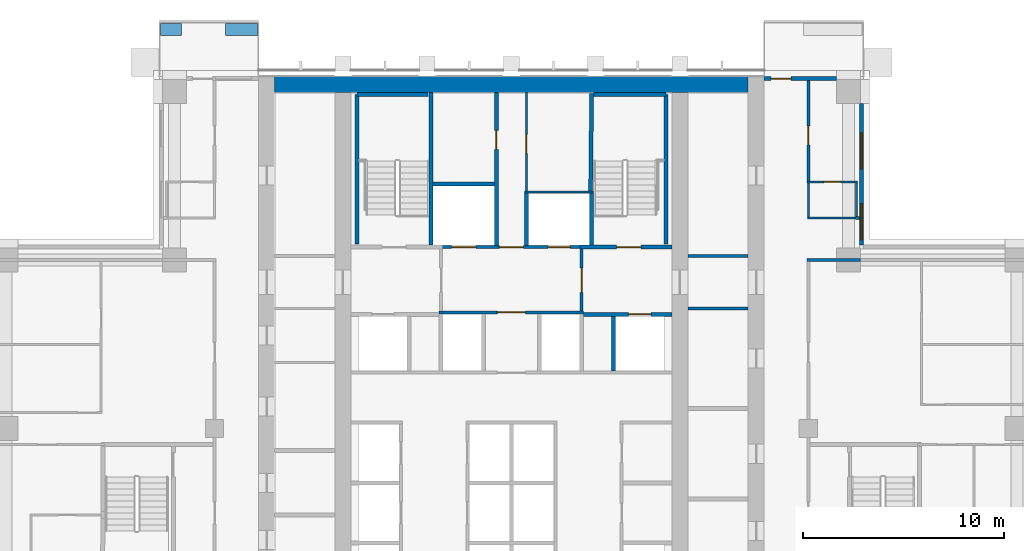
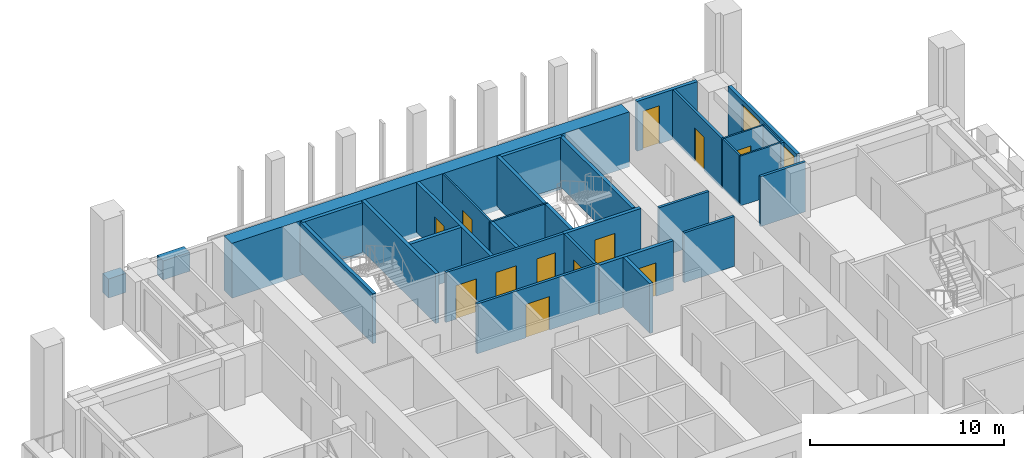
# One storey, part 11 of 17: 32 walls, 12 doors, 2 windows, 14 openings.
"""IFC4 building model written with IfcOpenShell, lengths in metres."""

from ifc_helpers import new_model, si_unit, direction, frame, frame_2d, origin, place, context, subcontext, project, spatial, rectangle, extrude, material, layer, layer_set, type_object, element, fill, save


model = new_model("IFC4")

# Units and contexts
model_context = context("Model", 3, precision=1e-05, world=origin(), true_north=direction((0.0, 1.0)))
body_context = subcontext(model_context, "Body", "Model", "MODEL_VIEW")
ifc_project = project(units=[si_unit("LENGTHUNIT", "METRE"), si_unit("AREAUNIT", "SQUARE_METRE"), si_unit("VOLUMEUNIT", "CUBIC_METRE"), si_unit("PLANEANGLEUNIT", "RADIAN"), si_unit("MASSUNIT", "GRAM", prefix="KILO")], contexts=[model_context])

# Site, building, storey
site_placement = place(None, origin())
site = spatial("IfcSite", under=ifc_project, at=site_placement, CompositionType="ELEMENT")
building_placement = place(site_placement, origin())
building = spatial("IfcBuilding", under=site, at=building_placement, Name="Vermilion Ogive Tower", CompositionType="ELEMENT")
storey_placement = place(building_placement, frame((0.0, 0.0, 111.449951171875)))
storey = spatial("IfcBuildingStorey", under=building, at=storey_placement, Name="L28", CompositionType="ELEMENT", Elevation=111.449951171875)

# Walls
ifc_material_1 = material(Name="Concrete B80", Category="concrete")
ifc_layer_1 = layer(ifc_material_1, 0.800048828125)
ifc_layer_set_1 = layer_set([ifc_layer_1], Name="Core wall 800 B80")
wall_type_1 = type_object("IfcWallType", Name="Core wall 800 B80", PredefinedType="SHEAR", material=ifc_layer_set_1)
wall_1_placement = place(storey_placement, frame((-11.800048828125, 21.35009765625, -0.320068359375), z_axis=(0.0, 0.0, 1.0), x_axis=(1.0, 0.0, 0.0)))
element("IfcWall", 1, at=wall_1_placement, inside=storey, type_object=wall_type_1, Name="L28-CORE-N", PredefinedType="SHEAR", context=body_context, shape_type="SweptSolid", body=[
    extrude(rectangle(XDim=23.60009765625, YDim=0.800048828125, at=frame_2d((11.800048828125, 0.0))), origin(), (0.0, 0.0, 1.0), 3.4501953125),
])
ifc_material_2 = material(Name="Gypsum board partition on steel studs", Category="steel")
ifc_layer_2 = layer(ifc_material_2, 0.10009765625)
ifc_layer_set_2 = layer_set([ifc_layer_2], Name="Partition 100 bath")
wall_type_2 = type_object("IfcWallType", Name="Partition 100 bath", PredefinedType="PARTITIONING", material=ifc_layer_set_2)
wall_2_placement = place(storey_placement, frame((14.75, 14.699951171875, 0.0), z_axis=(0.0, 0.0, 1.0), x_axis=(1.0, 0.0, 0.0)))
element("IfcWall", 2, at=wall_2_placement, inside=storey, type_object=wall_type_2, Name="L28-W-W039", PredefinedType="PARTITIONING", context=body_context, shape_type="SweptSolid", body=[
    extrude(rectangle(XDim=2.5, YDim=0.10009765625, at=frame_2d((1.25, 0.0))), origin(), (0.0, 0.0, 1.0), 3.130126953125),
])

# Wall, opening, door
wall_3_placement = place(storey_placement, frame((14.72509765625, 16.5, 0.0), z_axis=(0.0, 0.0, 1.0), x_axis=(1.0, 0.0, 0.0)))
wall_3 = element("IfcWall", 3, at=wall_3_placement, inside=storey, type_object=wall_type_2, Name="L28-W-W042", PredefinedType="PARTITIONING", context=body_context, shape_type="SweptSolid", body=[
    extrude(rectangle(XDim=2.52490234375, YDim=0.10009765625, at=frame_2d((1.262451171875, 0.0))), origin(), (0.0, 0.0, 1.0), 3.130126953125),
])
opening_1_placement = place(wall_3_placement, frame((0.849853515625, 0.0, 0.0)))
opening_1 = element("IfcOpeningElement", 4, at=opening_1_placement, cuts=wall_3, Name="Opening D2G5022", PredefinedType="OPENING", context=body_context, shape_type="SweptSolid", body=[
    extrude(rectangle(XDim=0.85009765625, YDim=2.10009765625, at=frame_2d((0.425048828125, 1.050048828125))), frame((0.0, 0.06005859375, 0.0), z_axis=(0.0, -1.0, 0.0), x_axis=(1.0, 0.0, 0.0)), (0.0, 0.0, 1.0), 0.1201171875),
])
ifc_material_3 = material(Name="Timber door leaf", Category="wood")
door_type_1 = type_object("IfcDoorType", Name="Bath door 850 x 2100 FD30", OperationType="SINGLE_SWING_LEFT", PredefinedType="DOOR", material=ifc_material_3)
door_1_placement = place(opening_1_placement, origin())
door_1 = element("IfcDoor", 5, at=door_1_placement, inside=storey, type_object=door_type_1, Name="L28-D-D022", OperationType="SINGLE_SWING_RIGHT", OverallHeight=2.10009765625, OverallWidth=0.85009765625, PredefinedType="DOOR", context=body_context, shape_type="SweptSolid", body=[
    extrude(rectangle(XDim=0.85009765625, YDim=2.10009765625, at=frame_2d((0.425048828125, 1.050048828125))), frame((0.0, 0.02490234375, 0.0), z_axis=(0.0, -1.0, 0.0), x_axis=(1.0, 0.0, 0.0)), (0.0, 0.0, 1.0), 0.050048828125),
])
fill(opening_1, door_1)

# Walls
wall_4_placement = place(storey_placement, frame((14.800048828125, 14.75, 0.0), z_axis=(0.0, 0.0, 1.0), x_axis=(0.0, 1.0, 0.0)))
element("IfcWall", 6, at=wall_4_placement, inside=storey, type_object=wall_type_2, Name="L28-W-W070", PredefinedType="PARTITIONING", context=body_context, shape_type="SweptSolid", body=[
    extrude(rectangle(XDim=1.699951171875, YDim=0.10009765625, at=frame_2d((0.85009765625, 0.0))), origin(), (0.0, 0.0, 1.0), 3.130126953125),
])
wall_5_placement = place(storey_placement, frame((17.199951171875, 14.77490234375, 0.0), z_axis=(0.0, 0.0, 1.0), x_axis=(0.0, 1.0, 0.0)))
element("IfcWall", 7, at=wall_5_placement, inside=storey, type_object=wall_type_2, Name="L28-W-W073", PredefinedType="PARTITIONING", context=body_context, shape_type="SweptSolid", body=[
    extrude(rectangle(XDim=1.675048828125, YDim=0.10009765625, at=frame_2d((0.83740234375, 0.0))), origin(), (0.0, 0.0, 1.0), 3.130126953125),
])
wall_6_placement = place(storey_placement, frame((0.64990234375, 16.0, 0.0), z_axis=(0.0, 0.0, 1.0), x_axis=(1.0, 0.0, 0.0)))
element("IfcWall", 8, at=wall_6_placement, inside=storey, type_object=wall_type_2, Name="L28-CK-W-W020", PredefinedType="PARTITIONING", context=body_context, shape_type="SweptSolid", body=[
    extrude(rectangle(XDim=3.4501953125, YDim=0.10009765625, at=frame_2d((1.72509765625, 0.0))), origin(), (0.0, 0.0, 1.0), 3.130126953125),
])

# Wall, opening, door
wall_7_placement = place(storey_placement, frame((0.75, 16.050048828125, 0.0), z_axis=(0.0, 0.0, 1.0), x_axis=(0.0, 1.0, 0.0)))
wall_7 = element("IfcWall", 9, at=wall_7_placement, inside=storey, type_object=wall_type_2, Name="L28-CK-W-W032", PredefinedType="PARTITIONING", context=body_context, shape_type="SweptSolid", body=[
    extrude(rectangle(XDim=4.89892578125, YDim=0.10009765625, at=frame_2d((2.449462890625, 0.0))), origin(), (0.0, 0.0, 1.0), 3.130126953125),
])
opening_2_placement = place(wall_7_placement, frame((1.875, 0.0, 0.0)))
opening_2 = element("IfcOpeningElement", 10, at=opening_2_placement, cuts=wall_7, Name="Opening DAA238", PredefinedType="OPENING", context=body_context, shape_type="SweptSolid", body=[
    extrude(rectangle(XDim=0.949951171875, YDim=2.10009765625, at=frame_2d((0.47509765625, 1.050048828125))), frame((0.0, 0.06005859375, 0.0), z_axis=(0.0, -1.0, 0.0), x_axis=(1.0, 0.0, 0.0)), (0.0, 0.0, 1.0), 0.1201171875),
])
ifc_material_4 = material(Name="Timber door leaf", Category="wood")
door_type_2 = type_object("IfcDoorType", Name="Service door 950 x 2100 FD60", OperationType="SINGLE_SWING_LEFT", PredefinedType="DOOR", material=ifc_material_4)
door_2_placement = place(opening_2_placement, origin())
door_2 = element("IfcDoor", 11, at=door_2_placement, inside=storey, type_object=door_type_2, Name="L28-CK-D-D021", OperationType="SINGLE_SWING_LEFT", OverallHeight=2.10009765625, OverallWidth=0.949951171875, PredefinedType="DOOR", context=body_context, shape_type="SweptSolid", body=[
    extrude(rectangle(XDim=0.949951171875, YDim=2.10009765625, at=frame_2d((0.47509765625, 1.050048828125))), frame((0.0, 0.02490234375, 0.0), z_axis=(0.0, -1.0, 0.0), x_axis=(1.0, 0.0, 0.0)), (0.0, 0.0, 1.0), 0.050048828125),
])
fill(opening_2, door_2)

# Walls
ifc_material_5 = material(Name="Gypsum board partition on steel studs", Category="steel")
ifc_layer_3 = layer(ifc_material_5, 0.14990234375)
ifc_layer_set_3 = layer_set([ifc_layer_3], Name="Partition 150 corridor")
wall_type_3 = type_object("IfcWallType", Name="Partition 150 corridor", PredefinedType="PARTITIONING", material=ifc_layer_set_3)
wall_8_placement = place(storey_placement, frame((14.72509765625, 12.60009765625, 0.0), z_axis=(0.0, 0.0, 1.0), x_axis=(1.0, 0.0, 0.0)))
element("IfcWall", 12, at=wall_8_placement, inside=storey, type_object=wall_type_3, Name="L28-W-W036", PredefinedType="PARTITIONING", context=body_context, shape_type="SweptSolid", body=[
    extrude(rectangle(XDim=2.6748046875, YDim=0.14990234375, at=frame_2d((1.33740234375, 0.0))), origin(), (0.0, 0.0, 1.0), 3.130126953125),
])
wall_9_placement = place(storey_placement, frame((17.14990234375, 14.699951171875, 0.0), z_axis=(0.0, 0.0, 1.0), x_axis=(1.0, 0.0, 0.0)))
element("IfcWall", 13, at=wall_9_placement, inside=storey, type_object=wall_type_3, Name="L28-W-W040", PredefinedType="PARTITIONING", context=body_context, shape_type="SweptSolid", body=[
    extrude(rectangle(XDim=0.2001953125, YDim=0.14990234375, at=frame_2d((0.10009765625, 0.0))), origin(), (0.0, 0.0, 1.0), 3.130126953125),
])

# Wall, opening, door
wall_10_placement = place(storey_placement, frame((14.800048828125, 16.550048828125, 0.0), z_axis=(0.0, 0.0, 1.0), x_axis=(0.0, 1.0, 0.0)))
wall_10 = element("IfcWall", 14, at=wall_10_placement, inside=storey, type_object=wall_type_3, Name="L28-W-W071", PredefinedType="PARTITIONING", context=body_context, shape_type="SweptSolid", body=[
    extrude(rectangle(XDim=5.0, YDim=0.14990234375, at=frame_2d((2.5, 0.0))), origin(), (0.0, 0.0, 1.0), 3.130126953125),
])
opening_3_placement = place(wall_10_placement, frame((1.800048828125, 0.0, 0.0)))
opening_3 = element("IfcOpeningElement", 15, at=opening_3_placement, cuts=wall_10, Name="Opening D2G5021", PredefinedType="OPENING", context=body_context, shape_type="SweptSolid", body=[
    extrude(rectangle(XDim=0.949951171875, YDim=2.10009765625, at=frame_2d((0.47509765625, 1.050048828125))), frame((0.0, 0.0849609375, 0.0), z_axis=(0.0, -1.0, 0.0), x_axis=(1.0, 0.0, 0.0)), (0.0, 0.0, 1.0), 0.169921875),
])
ifc_material_6 = material(Name="Timber door leaf", Category="wood")
door_type_3 = type_object("IfcDoorType", Name="Unit door 950 x 2100 FD30S", OperationType="SINGLE_SWING_LEFT", PredefinedType="DOOR", material=ifc_material_6)
door_3_placement = place(opening_3_placement, origin())
door_3 = element("IfcDoor", 16, at=door_3_placement, inside=storey, type_object=door_type_3, Name="L28-D-D021", OperationType="SINGLE_SWING_LEFT", OverallHeight=2.10009765625, OverallWidth=0.949951171875, PredefinedType="DOOR", context=body_context, shape_type="SweptSolid", body=[
    extrude(rectangle(XDim=0.949951171875, YDim=2.10009765625, at=frame_2d((0.47509765625, 1.050048828125))), frame((0.0, 0.02490234375, 0.0), z_axis=(0.0, -1.0, 0.0), x_axis=(1.0, 0.0, 0.0)), (0.0, 0.0, 1.0), 0.050048828125),
])
fill(opening_3, door_3)

wall_11_placement = place(storey_placement, frame((-3.60009765625, 10.0, 0.0), z_axis=(0.0, 0.0, 1.0), x_axis=(1.0, 0.0, 0.0)))
wall_11 = element("IfcWall", 17, at=wall_11_placement, inside=storey, type_object=wall_type_3, Name="L28-CK-W-W016", PredefinedType="PARTITIONING", context=body_context, shape_type="SweptSolid", body=[
    extrude(rectangle(XDim=7.2001953125, YDim=0.14990234375, at=frame_2d((3.60009765625, 0.0))), origin(), (0.0, 0.0, 1.0), 3.130126953125),
])
opening_4_placement = place(wall_11_placement, frame((2.900146484375, 0.0, 0.0)))
opening_4 = element("IfcOpeningElement", 18, at=opening_4_placement, cuts=wall_11, Name="Opening DAA233", PredefinedType="OPENING", context=body_context, shape_type="SweptSolid", body=[
    extrude(rectangle(XDim=1.39990234375, YDim=2.10009765625, at=frame_2d((0.699951171875, 1.050048828125))), frame((0.0, 0.0849609375, 0.0), z_axis=(0.0, -1.0, 0.0), x_axis=(1.0, 0.0, 0.0)), (0.0, 0.0, 1.0), 0.169921875),
])
ifc_material_7 = material(Name="Timber door leaf", Category="wood")
door_type_4 = type_object("IfcDoorType", Name="Lobby door 1400 x 2100 FD60S", OperationType="SINGLE_SWING_LEFT", PredefinedType="DOOR", material=ifc_material_7)
door_4_placement = place(opening_4_placement, origin())
door_4 = element("IfcDoor", 19, at=door_4_placement, inside=storey, type_object=door_type_4, Name="L28-CK-D-D016", OperationType="SINGLE_SWING_RIGHT", OverallHeight=2.10009765625, OverallWidth=1.39990234375, PredefinedType="DOOR", context=body_context, shape_type="SweptSolid", body=[
    extrude(rectangle(XDim=1.39990234375, YDim=2.10009765625, at=frame_2d((0.699951171875, 1.050048828125))), frame((0.0, 0.02490234375, 0.0), z_axis=(0.0, -1.0, 0.0), x_axis=(1.0, 0.0, 0.0)), (0.0, 0.0, 1.0), 0.050048828125),
])
fill(opening_4, door_4)

# Wall, openings, doors
wall_12_placement = place(storey_placement, frame((-3.574951171875, 13.25, 0.0), z_axis=(0.0, 0.0, 1.0), x_axis=(1.0, 0.0, 0.0)))
wall_12 = element("IfcWall", 20, at=wall_12_placement, inside=storey, type_object=wall_type_3, Name="L28-CK-W-W018", PredefinedType="PARTITIONING", context=body_context, shape_type="SweptSolid", body=[
    extrude(rectangle(XDim=7.14990234375, YDim=0.14990234375, at=frame_2d((3.574951171875, 0.0))), origin(), (0.0, 0.0, 1.0), 3.130126953125),
])
opening_5_placement = place(wall_12_placement, frame((0.599853515625, 0.0, 0.0)))
opening_5 = element("IfcOpeningElement", 21, at=opening_5_placement, cuts=wall_12, Name="Opening DAA252", PredefinedType="OPENING", context=body_context, shape_type="SweptSolid", body=[
    extrude(rectangle(XDim=1.199951171875, YDim=2.10009765625, at=frame_2d((0.60009765625, 1.050048828125))), frame((0.0, 0.0849609375, 0.0), z_axis=(0.0, -1.0, 0.0), x_axis=(1.0, 0.0, 0.0)), (0.0, 0.0, 1.0), 0.169921875),
])
opening_6_placement = place(wall_12_placement, frame((5.39990234375, 0.0, 0.0)))
opening_6 = element("IfcOpeningElement", 22, at=opening_6_placement, cuts=wall_12, Name="Opening DAA243", PredefinedType="OPENING", context=body_context, shape_type="SweptSolid", body=[
    extrude(rectangle(XDim=1.10009765625, YDim=2.10009765625, at=frame_2d((0.550048828125, 1.050048828125))), frame((0.0, 0.0849609375, 0.0), z_axis=(0.0, -1.0, 0.0), x_axis=(1.0, 0.0, 0.0)), (0.0, 0.0, 1.0), 0.169921875),
])
opening_7_placement = place(wall_12_placement, frame((2.974853515625, 0.0, 0.0)))
opening_7 = element("IfcOpeningElement", 23, at=opening_7_placement, cuts=wall_12, Name="Opening DAA234", PredefinedType="OPENING", context=body_context, shape_type="SweptSolid", body=[
    extrude(rectangle(XDim=1.199951171875, YDim=2.10009765625, at=frame_2d((0.60009765625, 1.050048828125))), frame((0.0, 0.0849609375, 0.0), z_axis=(0.0, -1.0, 0.0), x_axis=(1.0, 0.0, 0.0)), (0.0, 0.0, 1.0), 0.169921875),
])
ifc_material_8 = material(Name="Stainless steel", Category="steel")
door_type_5 = type_object("IfcDoorType", Name="Lift landing door 1100 x 2100", OperationType="SLIDING_TO_LEFT", PredefinedType="DOOR", material=ifc_material_8)
door_5_placement = place(opening_6_placement, origin())
door_5 = element("IfcDoor", 24, at=door_5_placement, inside=storey, type_object=door_type_5, Name="L28-CK-D-D018", OperationType="SLIDING_TO_LEFT", OverallHeight=2.10009765625, OverallWidth=1.10009765625, PredefinedType="DOOR", context=body_context, shape_type="SweptSolid", body=[
    extrude(rectangle(XDim=1.10009765625, YDim=2.10009765625, at=frame_2d((0.550048828125, 1.050048828125))), frame((0.0, 0.02490234375, 0.0), z_axis=(0.0, -1.0, 0.0), x_axis=(1.0, 0.0, 0.0)), (0.0, 0.0, 1.0), 0.050048828125),
])
fill(opening_6, door_5)
ifc_material_9 = material(Name="Stainless steel", Category="steel")
door_type_6 = type_object("IfcDoorType", Name="Lift landing door 1200 x 2100", OperationType="SLIDING_TO_LEFT", PredefinedType="DOOR", material=ifc_material_9)
door_6_placement = place(opening_5_placement, origin())
door_6 = element("IfcDoor", 25, at=door_6_placement, inside=storey, type_object=door_type_6, Name="L28-CK-D-D017", OperationType="SLIDING_TO_RIGHT", OverallHeight=2.10009765625, OverallWidth=1.199951171875, PredefinedType="DOOR", context=body_context, shape_type="SweptSolid", body=[
    extrude(rectangle(XDim=1.199951171875, YDim=2.10009765625, at=frame_2d((0.60009765625, 1.050048828125))), frame((0.0, 0.02490234375, 0.0), z_axis=(0.0, -1.0, 0.0), x_axis=(1.0, 0.0, 0.0)), (0.0, 0.0, 1.0), 0.050048828125),
])
fill(opening_5, door_6)
ifc_material_10 = material(Name="Timber door leaf", Category="wood")
door_type_7 = type_object("IfcDoorType", Name="Service door 1200 x 2100 FD60", OperationType="SINGLE_SWING_LEFT", PredefinedType="DOOR", material=ifc_material_10)
door_7_placement = place(opening_7_placement, origin())
door_7 = element("IfcDoor", 26, at=door_7_placement, inside=storey, type_object=door_type_7, Name="L28-CK-D-D019", OperationType="SINGLE_SWING_RIGHT", OverallHeight=2.10009765625, OverallWidth=1.199951171875, PredefinedType="DOOR", context=body_context, shape_type="SweptSolid", body=[
    extrude(rectangle(XDim=1.199951171875, YDim=2.10009765625, at=frame_2d((0.60009765625, 1.050048828125))), frame((0.0, 0.02490234375, 0.0), z_axis=(0.0, -1.0, 0.0), x_axis=(1.0, 0.0, 0.0)), (0.0, 0.0, 1.0), 0.050048828125),
])
fill(opening_7, door_7)

# Wall, opening, door
wall_13_placement = place(storey_placement, frame((3.5, 10.074951171875, 0.0), z_axis=(0.0, 0.0, 1.0), x_axis=(0.0, 1.0, 0.0)))
wall_13 = element("IfcWall", 27, at=wall_13_placement, inside=storey, type_object=wall_type_3, Name="L28-CK-W-W036", PredefinedType="PARTITIONING", context=body_context, shape_type="SweptSolid", body=[
    extrude(rectangle(XDim=3.074951171875, YDim=0.14990234375, at=frame_2d((1.53759765625, 0.0))), origin(), (0.0, 0.0, 1.0), 3.130126953125),
])
opening_8_placement = place(wall_13_placement, frame((0.925048828125, 0.0, 0.0)))
opening_8 = element("IfcOpeningElement", 28, at=opening_8_placement, cuts=wall_13, Name="Opening DAA231", PredefinedType="OPENING", context=body_context, shape_type="SweptSolid", body=[
    extrude(rectangle(XDim=1.199951171875, YDim=2.10009765625, at=frame_2d((0.60009765625, 1.050048828125))), frame((0.0, 0.0849609375, 0.0), z_axis=(0.0, -1.0, 0.0), x_axis=(1.0, 0.0, 0.0)), (0.0, 0.0, 1.0), 0.169921875),
])
ifc_material_11 = material(Name="Timber door leaf", Category="wood")
door_type_8 = type_object("IfcDoorType", Name="Lobby door 1200 x 2100 FD60S", OperationType="SINGLE_SWING_LEFT", PredefinedType="DOOR", material=ifc_material_11)
door_8_placement = place(opening_8_placement, origin())
door_8 = element("IfcDoor", 29, at=door_8_placement, inside=storey, type_object=door_type_8, Name="L28-CK-D-D023", OperationType="SINGLE_SWING_LEFT", OverallHeight=2.10009765625, OverallWidth=1.199951171875, PredefinedType="DOOR", context=body_context, shape_type="SweptSolid", body=[
    extrude(rectangle(XDim=1.199951171875, YDim=2.10009765625, at=frame_2d((0.60009765625, 1.050048828125))), frame((0.0, 0.02490234375, 0.0), z_axis=(0.0, -1.0, 0.0), x_axis=(1.0, 0.0, 0.0)), (0.0, 0.0, 1.0), 0.050048828125),
])
fill(opening_8, door_8)

# Walls
for number, where, z_axis, x_axis, name in (
    (30, (8.801025390625, 10.199951171875, 0.0), (0.0, 0.0, 1.0), (1.0, 0.0, 0.0), "L28-CKE-W-W004"),
    (31, (8.801025390625, 12.800048828125, 0.0), (0.0, 0.0, 1.0), (1.0, 0.0, 0.0), "L28-CKE-W-W005"),
):
    element("IfcWall", number, at=place(storey_placement, frame(where, z_axis=z_axis, x_axis=x_axis)), inside=storey, type_object=wall_type_3, Name=name, PredefinedType="PARTITIONING", context=body_context, shape_type="SweptSolid", body=[
        extrude(rectangle(XDim=2.998046875, YDim=0.14990234375, at=frame_2d((1.4990234375, 0.0))), origin(), (0.0, 0.0, 1.0), 3.130126953125),
    ])

# Wall, opening, door
ifc_material_12 = material(Name="Gypsum board partition on steel studs", Category="steel")
ifc_layer_4 = layer(ifc_material_12, 0.199951171875)
ifc_layer_set_4 = layer_set([ifc_layer_4], Name="Partition 200 party")
wall_type_4 = type_object("IfcWallType", Name="Partition 200 party", PredefinedType="PARTITIONING", material=ifc_layer_set_4)
wall_14_placement = place(storey_placement, frame((3.60009765625, 9.89990234375, 0.0), z_axis=(0.0, 0.0, 1.0), x_axis=(1.0, 0.0, 0.0)))
wall_14 = element("IfcWall", 32, at=wall_14_placement, inside=storey, type_object=wall_type_4, Name="L28-CK-W-W015", PredefinedType="PARTITIONING", context=body_context, shape_type="SweptSolid", body=[
    extrude(rectangle(XDim=4.39892578125, YDim=0.199951171875, at=frame_2d((2.199462890625, 0.0))), origin(), (0.0, 0.0, 1.0), 3.130126953125),
])
opening_9_placement = place(wall_14_placement, frame((2.25, 0.0, 0.0)))
opening_9 = element("IfcOpeningElement", 33, at=opening_9_placement, cuts=wall_14, Name="Opening DAA242", PredefinedType="OPENING", context=body_context, shape_type="SweptSolid", body=[
    extrude(rectangle(XDim=1.10009765625, YDim=2.10009765625, at=frame_2d((0.550048828125, 1.050048828125))), frame((0.0, 0.10986328125, 0.0), z_axis=(0.0, -1.0, 0.0), x_axis=(1.0, 0.0, 0.0)), (0.0, 0.0, 1.0), 0.219970703125),
])
door_9_placement = place(opening_9_placement, origin())
door_9 = element("IfcDoor", 34, at=door_9_placement, inside=storey, type_object=door_type_5, Name="L28-CK-D-D014", OperationType="SLIDING_TO_LEFT", OverallHeight=2.10009765625, OverallWidth=1.10009765625, PredefinedType="DOOR", context=body_context, shape_type="SweptSolid", body=[
    extrude(rectangle(XDim=1.10009765625, YDim=2.10009765625, at=frame_2d((0.550048828125, 1.050048828125))), frame((0.0, 0.02490234375, 0.0), z_axis=(0.0, -1.0, 0.0), x_axis=(1.0, 0.0, 0.0)), (0.0, 0.0, 1.0), 0.050048828125),
])
fill(opening_9, door_9)

# Wall
wall_15_placement = place(storey_placement, frame((-3.89990234375, 16.39990234375, 0.0), z_axis=(0.0, 0.0, 1.0), x_axis=(1.0, 0.0, 0.0)))
element("IfcWall", 35, at=wall_15_placement, inside=storey, type_object=wall_type_4, Name="L28-CK-W-W021", PredefinedType="PARTITIONING", context=body_context, shape_type="SweptSolid", body=[
    extrude(rectangle(XDim=3.0498046875, YDim=0.199951171875, at=frame_2d((1.52490234375, 0.0))), origin(), (0.0, 0.0, 1.0), 3.130126953125),
])

# Wall, opening, door
wall_16_placement = place(storey_placement, frame((-0.75, 13.324951171875, 0.0), z_axis=(0.0, 0.0, 1.0), x_axis=(0.0, 1.0, 0.0)))
wall_16 = element("IfcWall", 36, at=wall_16_placement, inside=storey, type_object=wall_type_4, Name="L28-CK-W-W029", PredefinedType="PARTITIONING", context=body_context, shape_type="SweptSolid", body=[
    extrude(rectangle(XDim=7.6240234375, YDim=0.199951171875, at=frame_2d((3.81201171875, 0.0))), origin(), (0.0, 0.0, 1.0), 3.130126953125),
])
opening_10_placement = place(wall_16_placement, frame((4.800048828125, 0.0, 0.0)))
opening_10 = element("IfcOpeningElement", 37, at=opening_10_placement, cuts=wall_16, Name="Opening DAA237", PredefinedType="OPENING", context=body_context, shape_type="SweptSolid", body=[
    extrude(rectangle(XDim=0.949951171875, YDim=2.10009765625, at=frame_2d((0.47509765625, 1.050048828125))), frame((0.0, 0.10986328125, 0.0), z_axis=(0.0, -1.0, 0.0), x_axis=(1.0, 0.0, 0.0)), (0.0, 0.0, 1.0), 0.219970703125),
])
door_10_placement = place(opening_10_placement, origin())
door_10 = element("IfcDoor", 38, at=door_10_placement, inside=storey, type_object=door_type_2, Name="L28-CK-D-D020", OperationType="SINGLE_SWING_RIGHT", OverallHeight=2.10009765625, OverallWidth=0.949951171875, PredefinedType="DOOR", context=body_context, shape_type="SweptSolid", body=[
    extrude(rectangle(XDim=0.949951171875, YDim=2.10009765625, at=frame_2d((0.47509765625, 1.050048828125))), frame((0.0, 0.02490234375, 0.0), z_axis=(0.0, -1.0, 0.0), x_axis=(1.0, 0.0, 0.0)), (0.0, 0.0, 1.0), 0.050048828125),
])
fill(opening_10, door_10)

# Walls
wall_17_placement = place(storey_placement, frame((0.75, 13.324951171875, 0.0), z_axis=(0.0, 0.0, 1.0), x_axis=(0.0, 1.0, 0.0)))
element("IfcWall", 39, at=wall_17_placement, inside=storey, type_object=wall_type_4, Name="L28-CK-W-W031", PredefinedType="PARTITIONING", context=body_context, shape_type="SweptSolid", body=[
    extrude(rectangle(XDim=2.625, YDim=0.199951171875, at=frame_2d((1.3125, 0.0))), origin(), (0.0, 0.0, 1.0), 3.130126953125),
])
wall_18_placement = place(storey_placement, frame((5.10009765625, 7.074951171875, 0.0), z_axis=(0.0, 0.0, 1.0), x_axis=(0.0, 1.0, 0.0)))
element("IfcWall", 40, at=wall_18_placement, inside=storey, type_object=wall_type_4, Name="L28-CK-W-W039", PredefinedType="PARTITIONING", context=body_context, shape_type="SweptSolid", body=[
    extrude(rectangle(XDim=2.72509765625, YDim=0.199951171875, at=frame_2d((1.362548828125, 0.0))), origin(), (0.0, 0.0, 1.0), 3.130126953125),
])

# Wall, opening, door
ifc_material_13 = material(Name="Concrete B60", Category="concrete")
ifc_layer_5 = layer(ifc_material_13, 0.199951171875)
ifc_layer_set_5 = layer_set([ifc_layer_5], Name="Stair shaft wall 200 Concrete B60")
wall_type_5 = type_object("IfcWallType", Name="Stair shaft wall 200 Concrete B60", PredefinedType="SOLIDWALL", material=ifc_layer_set_5)
wall_19_placement = place(storey_placement, frame((3.425048828125, 13.25, 0.0), z_axis=(0.0, 0.0, 1.0), x_axis=(1.0, 0.0, 0.0)))
wall_19 = element("IfcWall", 41, at=wall_19_placement, inside=storey, type_object=wall_type_5, Name="L28-CK-W-W019", PredefinedType="SOLIDWALL", context=body_context, shape_type="SweptSolid", body=[
    extrude(rectangle(XDim=4.573974609375, YDim=0.199951171875, at=frame_2d((2.287109375, 0.0))), origin(), (0.0, 0.0, 1.0), 3.130126953125),
])
opening_11_placement = place(wall_19_placement, frame((1.824951171875, 0.0, 0.0)))
opening_11 = element("IfcOpeningElement", 42, at=opening_11_placement, cuts=wall_19, Name="Opening DAA240", PredefinedType="OPENING", context=body_context, shape_type="SweptSolid", body=[
    extrude(rectangle(XDim=1.199951171875, YDim=2.10009765625, at=frame_2d((0.60009765625, 1.050048828125))), frame((0.0, 0.10986328125, 0.0), z_axis=(0.0, -1.0, 0.0), x_axis=(1.0, 0.0, 0.0)), (0.0, 0.0, 1.0), 0.219970703125),
])
ifc_material_14 = material(Name="Timber door leaf", Category="wood")
door_type_9 = type_object("IfcDoorType", Name="Stair door 1200 x 2100 FD60S", OperationType="SINGLE_SWING_LEFT", PredefinedType="DOOR", material=ifc_material_14)
door_11_placement = place(opening_11_placement, origin())
door_11 = element("IfcDoor", 43, at=door_11_placement, inside=storey, type_object=door_type_9, Name="L28-CK-D-D013", OperationType="SINGLE_SWING_RIGHT", OverallHeight=2.10009765625, OverallWidth=1.199951171875, PredefinedType="DOOR", context=body_context, shape_type="SweptSolid", body=[
    extrude(rectangle(XDim=1.199951171875, YDim=2.10009765625, at=frame_2d((0.60009765625, 1.050048828125))), frame((0.0, 0.02490234375, 0.0), z_axis=(0.0, -1.0, 0.0), x_axis=(1.0, 0.0, 0.0)), (0.0, 0.0, 1.0), 0.050048828125),
])
fill(opening_11, door_11)

# Walls
wall_20_placement = place(storey_placement, frame((-4.0, 13.35009765625, 0.0), z_axis=(0.0, 0.0, 1.0), x_axis=(0.0, 1.0, 0.0)))
element("IfcWall", 44, at=wall_20_placement, inside=storey, type_object=wall_type_5, Name="L28-CK-W-W024", PredefinedType="SOLIDWALL", context=body_context, shape_type="SweptSolid", body=[
    extrude(rectangle(XDim=7.598876953125, YDim=0.199951171875, at=frame_2d((3.79931640625, 0.0))), origin(), (0.0, 0.0, 1.0), 3.130126953125),
])
wall_21_placement = place(storey_placement, frame((4.0, 13.35009765625, 0.0), z_axis=(0.0, 0.0, 1.0), x_axis=(0.0, 1.0, 0.0)))
element("IfcWall", 45, at=wall_21_placement, inside=storey, type_object=wall_type_5, Name="L28-CK-W-W037", PredefinedType="SOLIDWALL", context=body_context, shape_type="SweptSolid", body=[
    extrude(rectangle(XDim=2.599853515625, YDim=0.199951171875, at=frame_2d((1.2998046875, 0.0))), origin(), (0.0, 0.0, 1.0), 3.130126953125),
])
wall_22_placement = place(storey_placement, frame((3.949951171875, 16.050048828125, 0.0), z_axis=(0.0, 0.0, 1.0), x_axis=(0.01032118628, 0.999946735138, 0.0)))
element("IfcWall", 46, at=wall_22_placement, inside=storey, type_object=wall_type_5, Name="L28-CK-W-W038", PredefinedType="SOLIDWALL", context=body_context, shape_type="SweptSolid", body=[
    extrude(rectangle(XDim=4.84912109375, YDim=0.199951171875, at=frame_2d((2.424560546875, 0.0))), origin(), (0.0, 0.0, 1.0), 3.130126953125),
])
wall_23_placement = place(storey_placement, frame((-7.699951171875, 13.39990234375, 0.0), z_axis=(0.0, 0.0, 1.0), x_axis=(0.0, 1.0, 0.0)))
element("IfcWall", 47, at=wall_23_placement, inside=storey, type_object=wall_type_5, Name="L28-SW-R022-W1", PredefinedType="SOLIDWALL", context=body_context, shape_type="SweptSolid", body=[
    extrude(rectangle(XDim=7.4501953125, YDim=0.199951171875, at=frame_2d((3.72509765625, 0.0))), origin(), (0.0, 0.0, 1.0), 3.130126953125),
])
wall_24_placement = place(storey_placement, frame((-7.699951171875, 20.85009765625, 0.0), z_axis=(0.0, 0.0, 1.0), x_axis=(1.0, 0.0, 0.0)))
element("IfcWall", 48, at=wall_24_placement, inside=storey, type_object=wall_type_5, Name="L28-SW-R022-N1", PredefinedType="SOLIDWALL", context=body_context, shape_type="SweptSolid", body=[
    extrude(rectangle(XDim=3.550048828125, YDim=0.199951171875, at=frame_2d((1.77490234375, 0.0))), origin(), (0.0, 0.0, 1.0), 3.130126953125),
])
wall_25_placement = place(storey_placement, frame((7.699951171875, 13.39990234375, 0.0), z_axis=(0.0, 0.0, 1.0), x_axis=(0.0, 1.0, 0.0)))
element("IfcWall", 49, at=wall_25_placement, inside=storey, type_object=wall_type_5, Name="L28-SW-R026-E1", PredefinedType="SOLIDWALL", context=body_context, shape_type="SweptSolid", body=[
    extrude(rectangle(XDim=7.4501953125, YDim=0.199951171875, at=frame_2d((3.72509765625, 0.0))), origin(), (0.0, 0.0, 1.0), 3.130126953125),
])
wall_26_placement = place(storey_placement, frame((4.10009765625, 20.85009765625, 0.0), z_axis=(0.0, 0.0, 1.0), x_axis=(1.0, 0.0, 0.0)))
element("IfcWall", 50, at=wall_26_placement, inside=storey, type_object=wall_type_5, Name="L28-SW-R026-N1", PredefinedType="SOLIDWALL", context=body_context, shape_type="SweptSolid", body=[
    extrude(rectangle(XDim=3.599853515625, YDim=0.199951171875, at=frame_2d((1.7998046875, 0.0))), origin(), (0.0, 0.0, 1.0), 3.130126953125),
])
ifc_material_15 = material(Name="Concrete B40", Category="concrete")
ifc_layer_6 = layer(ifc_material_15, 0.60009765625)
ifc_layer_set_6 = layer_set([ifc_layer_6], Name="Structural planter")
wall_type_6 = type_object("IfcWallType", Name="Structural planter", PredefinedType="USERDEFINED", material=ifc_layer_set_6)
wall_27_placement = place(storey_placement, frame((-12.659912109375, 24.093994140625, -0.0400390625), z_axis=(0.0, 0.0, 1.0), x_axis=(-1.0, 0.0, 0.0)))
element("IfcWall", 51, at=wall_27_placement, inside=storey, type_object=wall_type_6, Name="Planter N201A1", ObjectType="PLANTER", PredefinedType="USERDEFINED", context=body_context, shape_type="SweptSolid", body=[
    extrude(rectangle(XDim=1.590087890625, YDim=0.60009765625, at=frame_2d((0.794921875, 0.0))), origin(), (0.0, 0.0, 1.0), 1.2001953125),
])
wall_28_placement = place(storey_placement, frame((-16.449951171875, 24.093994140625, -0.0400390625), z_axis=(0.0, 0.0, 1.0), x_axis=(-1.0, 0.0, 0.0)))
element("IfcWall", 52, at=wall_28_placement, inside=storey, type_object=wall_type_6, Name="Planter N201A2", ObjectType="PLANTER", PredefinedType="USERDEFINED", context=body_context, shape_type="SweptSolid", body=[
    extrude(rectangle(XDim=1.0400390625, YDim=0.60009765625, at=frame_2d((0.52001953125, 0.0))), origin(), (0.0, 0.0, 1.0), 1.2001953125),
])

# Wall, openings, windows
ifc_material_16 = material(Name="Aluminium window wall framing", Category="aluminium")
ifc_layer_7 = layer(ifc_material_16, 0.199951171875)
ifc_layer_set_7 = layer_set([ifc_layer_7], Name="Window wall")
wall_type_7 = type_object("IfcWallType", Name="Window wall", PredefinedType="STANDARD", material=ifc_layer_set_7)
wall_29_placement = place(storey_placement, frame((17.449951171875, 13.35009765625, 0.0), z_axis=(0.0, 0.0, 1.0), x_axis=(0.0, 1.0, 0.0)))
wall_29 = element("IfcWall", 53, at=wall_29_placement, inside=storey, type_object=wall_type_7, Name="Window wall X41", PredefinedType="STANDARD", context=body_context, shape_type="SweptSolid", body=[
    extrude(rectangle(XDim=7.0498046875, YDim=0.199951171875, at=frame_2d((3.52490234375, 0.0))), origin(), (0.0, 0.0, 1.0), 3.130126953125),
])
opening_12_placement = place(wall_29_placement, frame((0.27490234375, 0.0, 0.199951171875)))
opening_12 = element("IfcOpeningElement", 54, at=opening_12_placement, cuts=wall_29, Name="Opening W1-X403", PredefinedType="OPENING", context=body_context, shape_type="SweptSolid", body=[
    extrude(rectangle(XDim=1.800048828125, YDim=2.64990234375, at=frame_2d((0.89990234375, 1.324951171875))), frame((0.0, 0.10986328125, 0.0), z_axis=(0.0, -1.0, 0.0), x_axis=(1.0, 0.0, 0.0)), (0.0, 0.0, 1.0), 0.219970703125),
])
opening_13_placement = place(wall_29_placement, frame((3.800048828125, 0.0, 0.199951171875)))
opening_13 = element("IfcOpeningElement", 55, at=opening_13_placement, cuts=wall_29, Name="Opening W1-X404", PredefinedType="OPENING", context=body_context, shape_type="SweptSolid", body=[
    extrude(rectangle(XDim=1.800048828125, YDim=2.64990234375, at=frame_2d((0.89990234375, 1.324951171875))), frame((0.0, 0.10986328125, 0.0), z_axis=(0.0, -1.0, 0.0), x_axis=(1.0, 0.0, 0.0)), (0.0, 0.0, 1.0), 0.219970703125),
])
ifc_material_17 = material(Name="Aluminium framed double glazing", Category="aluminium")
window_type = type_object("IfcWindowType", Name="Guest window W1", PartitioningType="SINGLE_PANEL", PredefinedType="WINDOW", material=ifc_material_17)
window_1_placement = place(opening_12_placement, origin())
window_1 = element("IfcWindow", 56, at=window_1_placement, inside=storey, type_object=window_type, Name="Window X403", OverallHeight=2.64990234375, OverallWidth=1.800048828125, PartitioningType="SINGLE_PANEL", PredefinedType="WINDOW", context=body_context, shape_type="SweptSolid", body=[
    extrude(rectangle(XDim=1.800048828125, YDim=2.64990234375, at=frame_2d((0.89990234375, 1.324951171875))), frame((0.0, 0.030029296875, 0.0), z_axis=(0.0, -1.0, 0.0), x_axis=(1.0, 0.0, 0.0)), (0.0, 0.0, 1.0), 0.06005859375),
])
fill(opening_12, window_1)
window_2_placement = place(opening_13_placement, origin())
window_2 = element("IfcWindow", 57, at=window_2_placement, inside=storey, type_object=window_type, Name="Window X404", OverallHeight=2.64990234375, OverallWidth=1.800048828125, PartitioningType="SINGLE_PANEL", PredefinedType="WINDOW", context=body_context, shape_type="SweptSolid", body=[
    extrude(rectangle(XDim=1.800048828125, YDim=2.64990234375, at=frame_2d((0.89990234375, 1.324951171875))), frame((0.0, 0.030029296875, 0.0), z_axis=(0.0, -1.0, 0.0), x_axis=(1.0, 0.0, 0.0)), (0.0, 0.0, 1.0), 0.06005859375),
])
fill(opening_13, window_2)

# Wall, opening, door
wall_30_placement = place(storey_placement, frame((16.199951171875, 21.64990234375, 0.0), z_axis=(0.0, 0.0, 1.0), x_axis=(-1.0, 0.0, 0.0)))
wall_30 = element("IfcWall", 58, at=wall_30_placement, inside=storey, type_object=wall_type_7, Name="Window wall N11", PredefinedType="STANDARD", context=body_context, shape_type="SweptSolid", body=[
    extrude(rectangle(XDim=3.599853515625, YDim=0.199951171875, at=frame_2d((1.7998046875, 0.0))), origin(), (0.0, 0.0, 1.0), 3.130126953125),
])
opening_14_placement = place(wall_30_placement, frame((2.25, 0.0, 0.0)))
opening_14 = element("IfcOpeningElement", 59, at=opening_14_placement, cuts=wall_30, Name="Opening D1-N103", PredefinedType="OPENING", context=body_context, shape_type="SweptSolid", body=[
    extrude(rectangle(XDim=1.0, YDim=2.39990234375, at=frame_2d((0.5, 1.199951171875))), frame((0.0, 0.10986328125, 0.0), z_axis=(0.0, -1.0, 0.0), x_axis=(1.0, 0.0, 0.0)), (0.0, 0.0, 1.0), 0.219970703125),
])
ifc_material_18 = material(Name="Aluminium framed glazed door", Category="aluminium")
door_type_10 = type_object("IfcDoorType", Name="Balcony door D1", OperationType="SINGLE_SWING_LEFT", PredefinedType="DOOR", material=ifc_material_18)
door_12_placement = place(opening_14_placement, origin())
door_12 = element("IfcDoor", 60, at=door_12_placement, inside=storey, type_object=door_type_10, Name="Balcony door N103", OperationType="SINGLE_SWING_LEFT", OverallHeight=2.39990234375, OverallWidth=1.0, PredefinedType="DOOR", context=body_context, shape_type="SweptSolid", body=[
    extrude(rectangle(XDim=1.0, YDim=2.39990234375, at=frame_2d((0.5, 1.199951171875))), frame((0.0, 0.02490234375, 0.0), z_axis=(0.0, -1.0, 0.0), x_axis=(1.0, 0.0, 0.0)), (0.0, 0.0, 1.0), 0.050048828125),
])
fill(opening_14, door_12)

save(model, "model.ifc")
